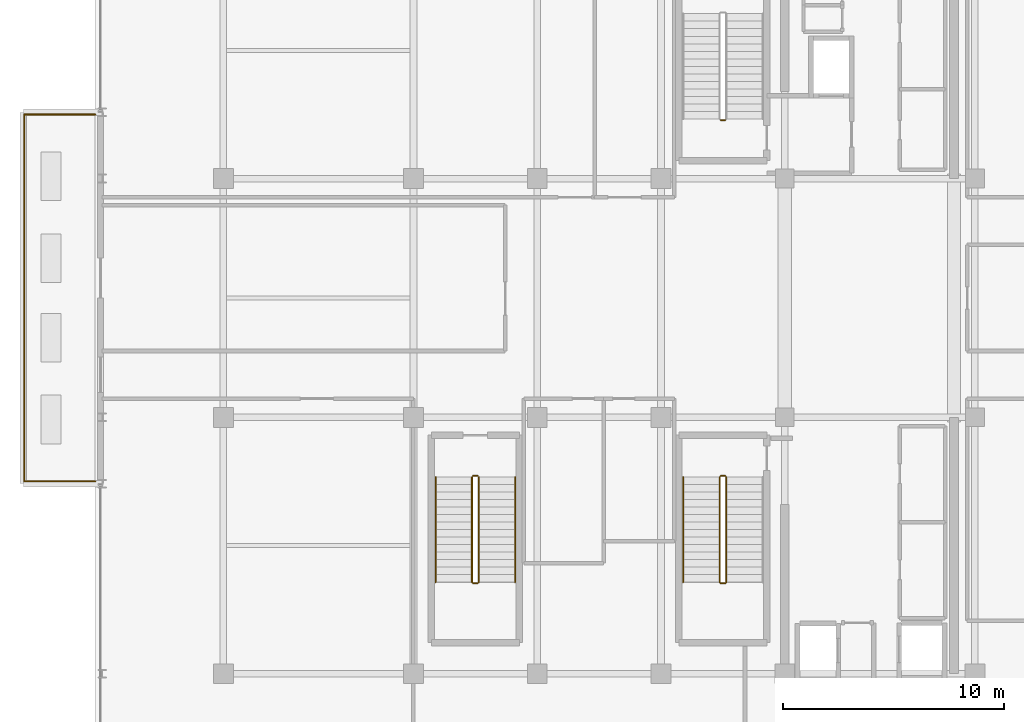
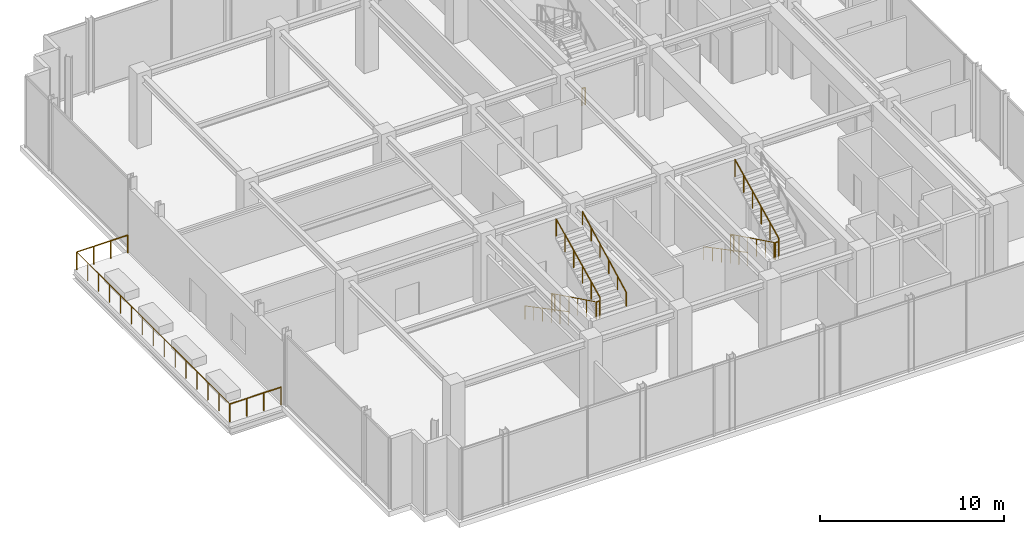
# One storey, part 26 of 28: 15 railings.
"""IFC4 building model written with IfcOpenShell, lengths in metres."""

from ifc_helpers import new_model, si_unit, direction, frame, origin, origin_2d, place, context, subcontext, project, spatial, circle, extrude, material, type_object, element, save


model = new_model("IFC4")

# Units and contexts
model_context = context("Model", 3, precision=1e-05, world=origin(), true_north=direction((0.0, 1.0)))
body_context = subcontext(model_context, "Body", "Model", "MODEL_VIEW")
ifc_project = project(units=[si_unit("LENGTHUNIT", "METRE"), si_unit("AREAUNIT", "SQUARE_METRE"), si_unit("VOLUMEUNIT", "CUBIC_METRE"), si_unit("PLANEANGLEUNIT", "RADIAN"), si_unit("MASSUNIT", "GRAM", prefix="KILO")], contexts=[model_context])

# Site, building, storey
site_placement = place(None, origin())
site = spatial("IfcSite", under=ifc_project, at=site_placement, CompositionType="ELEMENT")
building_placement = place(site_placement, origin())
building = spatial("IfcBuilding", under=site, at=building_placement, Name="Nahalor Promenade Grand Hotel", CompositionType="ELEMENT")
storey_placement = place(building_placement, frame((0.0, 0.0, 352.050048828125)))
storey = spatial("IfcBuildingStorey", under=building, at=storey_placement, Name="L90", CompositionType="ELEMENT", Elevation=352.050048828125)

# Railings
ifc_material_1 = material(Name="Anodised Bronze Aluminium EN AW-6063 T6", Category="aluminium")
railing_type_1 = type_object("IfcRailingType", Name="Bronze Balcony Guardrail 1200 mm", PredefinedType="GUARDRAIL", material=ifc_material_1)
railing_1_placement = place(storey_placement, frame((-22.800048828125, -8.300048828125, 0.0)))
element("IfcRailing", 1, at=railing_1_placement, inside=storey, type_object=railing_type_1, Name="L90 Edge Guardrail RL-L90-BELV-1", PredefinedType="GUARDRAIL", context=body_context, shape_type="SweptSolid", body=[
    extrude(circle(Radius=0.024048, at=origin_2d()), frame((0.0, 0.0, 1.17578125), z_axis=(-1.0, 0.0, 0.0), x_axis=(0.0, -1.0, 0.0)), (0.0, 0.0, 1.0), 3.199951171875),
    extrude(circle(Radius=0.020996, at=origin_2d()), origin(), (0.0, 0.0, 1.0), 1.14990234375),
    extrude(circle(Radius=0.020996, at=origin_2d()), frame((-1.066650390625, 0.0, 0.0)), (0.0, 0.0, 1.0), 1.14990234375),
    extrude(circle(Radius=0.020996, at=origin_2d()), frame((-2.13330078125, 0.0, 0.0)), (0.0, 0.0, 1.0), 1.14990234375),
    extrude(circle(Radius=0.020996, at=origin_2d()), frame((-3.199951171875, 0.0, 0.0)), (0.0, 0.0, 1.0), 1.14990234375),
])
railing_2_placement = place(storey_placement, frame((-26.0, -8.300048828125, 0.0)))
element("IfcRailing", 2, at=railing_2_placement, inside=storey, type_object=railing_type_1, Name="L90 Edge Guardrail RL-L90-BELV-2", PredefinedType="GUARDRAIL", context=body_context, shape_type="SweptSolid", body=[
    extrude(circle(Radius=0.024048, at=origin_2d()), frame((0.0, 0.0, 1.17578125), z_axis=(0.0, 1.0, 0.0), x_axis=(-1.0, 0.0, 0.0)), (0.0, 0.0, 1.0), 16.60009765625),
    extrude(circle(Radius=0.020996, at=origin_2d()), origin(), (0.0, 0.0, 1.0), 1.14990234375),
    extrude(circle(Radius=0.020996, at=origin_2d()), frame((0.0, 1.185791015625, 0.0)), (0.0, 0.0, 1.0), 1.14990234375),
    extrude(circle(Radius=0.020996, at=origin_2d()), frame((0.0, 2.371337890625, 0.0)), (0.0, 0.0, 1.0), 1.14990234375),
    extrude(circle(Radius=0.020996, at=origin_2d()), frame((0.0, 3.55712890625, 0.0)), (0.0, 0.0, 1.0), 1.14990234375),
    extrude(circle(Radius=0.020996, at=origin_2d()), frame((0.0, 4.742919921875, 0.0)), (0.0, 0.0, 1.0), 1.14990234375),
    extrude(circle(Radius=0.020996, at=origin_2d()), frame((0.0, 5.9287109375, 0.0)), (0.0, 0.0, 1.0), 1.14990234375),
    extrude(circle(Radius=0.020996, at=origin_2d()), frame((0.0, 7.1142578125, 0.0)), (0.0, 0.0, 1.0), 1.14990234375),
    extrude(circle(Radius=0.020996, at=origin_2d()), frame((0.0, 8.300048828125, 0.0)), (0.0, 0.0, 1.0), 1.14990234375),
    extrude(circle(Radius=0.020996, at=origin_2d()), frame((0.0, 9.48583984375, 0.0)), (0.0, 0.0, 1.0), 1.14990234375),
    extrude(circle(Radius=0.020996, at=origin_2d()), frame((0.0, 10.67138671875, 0.0)), (0.0, 0.0, 1.0), 1.14990234375),
    extrude(circle(Radius=0.020996, at=origin_2d()), frame((0.0, 11.857177734375, 0.0)), (0.0, 0.0, 1.0), 1.14990234375),
    extrude(circle(Radius=0.020996, at=origin_2d()), frame((0.0, 13.04296875, 0.0)), (0.0, 0.0, 1.0), 1.14990234375),
    extrude(circle(Radius=0.020996, at=origin_2d()), frame((0.0, 14.228759765625, 0.0)), (0.0, 0.0, 1.0), 1.14990234375),
    extrude(circle(Radius=0.020996, at=origin_2d()), frame((0.0, 15.414306640625, 0.0)), (0.0, 0.0, 1.0), 1.14990234375),
    extrude(circle(Radius=0.020996, at=origin_2d()), frame((0.0, 16.60009765625, 0.0)), (0.0, 0.0, 1.0), 1.14990234375),
])
railing_3_placement = place(storey_placement, frame((-26.0, 8.300048828125, 0.0)))
element("IfcRailing", 3, at=railing_3_placement, inside=storey, type_object=railing_type_1, Name="L90 Edge Guardrail RL-L90-BELV-3", PredefinedType="GUARDRAIL", context=body_context, shape_type="SweptSolid", body=[
    extrude(circle(Radius=0.024048, at=origin_2d()), frame((0.0, 0.0, 1.17578125), z_axis=(1.0, 0.0, 0.0), x_axis=(0.0, 1.0, 0.0)), (0.0, 0.0, 1.0), 3.199951171875),
    extrude(circle(Radius=0.020996, at=origin_2d()), origin(), (0.0, 0.0, 1.0), 1.14990234375),
    extrude(circle(Radius=0.020996, at=origin_2d()), frame((1.066650390625, 0.0, 0.0)), (0.0, 0.0, 1.0), 1.14990234375),
    extrude(circle(Radius=0.020996, at=origin_2d()), frame((2.13330078125, 0.0, 0.0)), (0.0, 0.0, 1.0), 1.14990234375),
    extrude(circle(Radius=0.020996, at=origin_2d()), frame((3.199951171875, 0.0, 0.0)), (0.0, 0.0, 1.0), 1.14990234375),
])
ifc_material_2 = material(Name="Steel S355JR", Category="steel")
railing_type_2 = type_object("IfcRailingType", Name="Steel Stair Guardrail 1150 mm", PredefinedType="GUARDRAIL", material=ifc_material_2)
railing_4_placement = place(storey_placement, frame((5.699951171875, 8.050048828125, 0.0)))
element("IfcRailing", 4, at=railing_4_placement, inside=storey, type_object=railing_type_2, Name="L90 ST1 stair guard 4", PredefinedType="GUARDRAIL", context=body_context, shape_type="SweptSolid", body=[
    extrude(circle(Radius=0.024048, at=origin_2d()), frame((0.0, 0.0, 1.1259765625), z_axis=(-1.0, 0.0, 0.0), x_axis=(0.0, -1.0, 0.0)), (0.0, 0.0, 1.0), 0.199951171875),
    extrude(circle(Radius=0.020996, at=origin_2d()), origin(), (0.0, 0.0, 1.0), 1.099853515625),
    extrude(circle(Radius=0.020996, at=origin_2d()), frame((-0.199951171875, 0.0, 0.0)), (0.0, 0.0, 1.0), 1.099853515625),
])
railing_5_placement = place(storey_placement, frame((5.449951171875, -8.10009765625, 0.16650390625)))
element("IfcRailing", 5, at=railing_5_placement, inside=storey, type_object=railing_type_2, Name="L90 ST2 stair guard 1", PredefinedType="GUARDRAIL", context=body_context, shape_type="SweptSolid", body=[
    extrude(circle(Radius=0.024048, at=origin_2d()), frame((0.0, 0.0, 1.1259765625), z_axis=(0.0, -0.897908944879, 0.44018124302), x_axis=(1.0, 0.0, 0.0)), (0.0, 0.0, 1.0), 5.30126953125),
    extrude(circle(Radius=0.020996, at=origin_2d()), origin(), (0.0, 0.0, 1.0), 1.099853515625),
    extrude(circle(Radius=0.020996, at=origin_2d()), frame((0.0, -0.951904296875, 0.466796875)), (0.0, 0.0, 1.0), 1.099853515625),
    extrude(circle(Radius=0.020996, at=origin_2d()), frame((0.0, -1.904052734375, 0.933349609375)), (0.0, 0.0, 1.0), 1.099853515625),
    extrude(circle(Radius=0.020996, at=origin_2d()), frame((0.0, -2.85595703125, 1.400146484375)), (0.0, 0.0, 1.0), 1.099853515625),
    extrude(circle(Radius=0.020996, at=origin_2d()), frame((0.0, -3.80810546875, 1.86669921875)), (0.0, 0.0, 1.0), 1.099853515625),
    extrude(circle(Radius=0.020996, at=origin_2d()), frame((0.0, -4.760009765625, 2.33349609375)), (0.0, 0.0, 1.0), 1.099853515625),
])
railing_6_placement = place(storey_placement, frame((5.5, -12.909912109375, 2.5)))
element("IfcRailing", 6, at=railing_6_placement, inside=storey, type_object=railing_type_2, Name="L90 ST2 stair guard 2", PredefinedType="GUARDRAIL", context=body_context, shape_type="SweptSolid", body=[
    extrude(circle(Radius=0.024048, at=origin_2d()), frame((0.0, 0.0, 1.1259765625), z_axis=(1.0, 0.0, 0.0), x_axis=(0.0, 1.0, 0.0)), (0.0, 0.0, 1.0), 0.199951171875),
    extrude(circle(Radius=0.020996, at=origin_2d()), origin(), (0.0, 0.0, 1.0), 1.099853515625),
    extrude(circle(Radius=0.020996, at=origin_2d()), frame((0.199951171875, 0.0, 0.0)), (0.0, 0.0, 1.0), 1.099853515625),
])
railing_7_placement = place(storey_placement, frame((5.75, -12.860107421875, 2.66650390625)))
element("IfcRailing", 7, at=railing_7_placement, inside=storey, type_object=railing_type_2, Name="L90 ST2 stair guard 3", PredefinedType="GUARDRAIL", context=body_context, shape_type="SweptSolid", body=[
    extrude(circle(Radius=0.024048, at=origin_2d()), frame((0.0, 0.0, 1.1259765625), z_axis=(0.0, 0.897908944879, 0.44018124302), x_axis=(-1.0, 0.0, 0.0)), (0.0, 0.0, 1.0), 5.30126953125),
    extrude(circle(Radius=0.020996, at=origin_2d()), origin(), (0.0, 0.0, 1.0), 1.099853515625),
    extrude(circle(Radius=0.020996, at=origin_2d()), frame((0.0, 0.951904296875, 0.466796875)), (0.0, 0.0, 1.0), 1.099853515625),
    extrude(circle(Radius=0.020996, at=origin_2d()), frame((0.0, 1.904052734375, 0.933349609375)), (0.0, 0.0, 1.0), 1.099853515625),
    extrude(circle(Radius=0.020996, at=origin_2d()), frame((0.0, 2.85595703125, 1.400146484375)), (0.0, 0.0, 1.0), 1.099853515625),
    extrude(circle(Radius=0.020996, at=origin_2d()), frame((0.0, 3.80810546875, 1.86669921875)), (0.0, 0.0, 1.0), 1.099853515625),
    extrude(circle(Radius=0.020996, at=origin_2d()), frame((0.0, 4.760009765625, 2.33349609375)), (0.0, 0.0, 1.0), 1.099853515625),
])
railing_8_placement = place(storey_placement, frame((5.5, -8.050048828125, 0.0)))
element("IfcRailing", 8, at=railing_8_placement, inside=storey, type_object=railing_type_2, Name="L90 ST2 stair guard 4", PredefinedType="GUARDRAIL", context=body_context, shape_type="SweptSolid", body=[
    extrude(circle(Radius=0.024048, at=origin_2d()), frame((0.0, 0.0, 1.1259765625), z_axis=(1.0, 0.0, 0.0), x_axis=(0.0, 1.0, 0.0)), (0.0, 0.0, 1.0), 0.199951171875),
    extrude(circle(Radius=0.020996, at=origin_2d()), origin(), (0.0, 0.0, 1.0), 1.099853515625),
    extrude(circle(Radius=0.020996, at=origin_2d()), frame((0.199951171875, 0.0, 0.0)), (0.0, 0.0, 1.0), 1.099853515625),
])
railing_9_placement = place(storey_placement, frame((-5.75, -8.10009765625, 0.16650390625)))
element("IfcRailing", 9, at=railing_9_placement, inside=storey, type_object=railing_type_2, Name="L90 ST3 stair guard 1", PredefinedType="GUARDRAIL", context=body_context, shape_type="SweptSolid", body=[
    extrude(circle(Radius=0.024048, at=origin_2d()), frame((0.0, 0.0, 1.1259765625), z_axis=(0.0, -0.897908944879, 0.44018124302), x_axis=(1.0, 0.0, 0.0)), (0.0, 0.0, 1.0), 5.30126953125),
    extrude(circle(Radius=0.020996, at=origin_2d()), origin(), (0.0, 0.0, 1.0), 1.099853515625),
    extrude(circle(Radius=0.020996, at=origin_2d()), frame((0.0, -0.951904296875, 0.466796875)), (0.0, 0.0, 1.0), 1.099853515625),
    extrude(circle(Radius=0.020996, at=origin_2d()), frame((0.0, -1.904052734375, 0.933349609375)), (0.0, 0.0, 1.0), 1.099853515625),
    extrude(circle(Radius=0.020996, at=origin_2d()), frame((0.0, -2.85595703125, 1.400146484375)), (0.0, 0.0, 1.0), 1.099853515625),
    extrude(circle(Radius=0.020996, at=origin_2d()), frame((0.0, -3.80810546875, 1.86669921875)), (0.0, 0.0, 1.0), 1.099853515625),
    extrude(circle(Radius=0.020996, at=origin_2d()), frame((0.0, -4.760009765625, 2.33349609375)), (0.0, 0.0, 1.0), 1.099853515625),
])
railing_10_placement = place(storey_placement, frame((-5.699951171875, -12.909912109375, 2.5)))
element("IfcRailing", 10, at=railing_10_placement, inside=storey, type_object=railing_type_2, Name="L90 ST3 stair guard 2", PredefinedType="GUARDRAIL", context=body_context, shape_type="SweptSolid", body=[
    extrude(circle(Radius=0.024048, at=origin_2d()), frame((0.0, 0.0, 1.1259765625), z_axis=(1.0, 0.0, 0.0), x_axis=(0.0, 1.0, 0.0)), (0.0, 0.0, 1.0), 0.199951171875),
    extrude(circle(Radius=0.020996, at=origin_2d()), origin(), (0.0, 0.0, 1.0), 1.099853515625),
    extrude(circle(Radius=0.020996, at=origin_2d()), frame((0.199951171875, 0.0, 0.0)), (0.0, 0.0, 1.0), 1.099853515625),
])
railing_11_placement = place(storey_placement, frame((-5.449951171875, -12.860107421875, 2.66650390625)))
element("IfcRailing", 11, at=railing_11_placement, inside=storey, type_object=railing_type_2, Name="L90 ST3 stair guard 3", PredefinedType="GUARDRAIL", context=body_context, shape_type="SweptSolid", body=[
    extrude(circle(Radius=0.024048, at=origin_2d()), frame((0.0, 0.0, 1.1259765625), z_axis=(0.0, 0.897908944879, 0.44018124302), x_axis=(-1.0, 0.0, 0.0)), (0.0, 0.0, 1.0), 5.30126953125),
    extrude(circle(Radius=0.020996, at=origin_2d()), origin(), (0.0, 0.0, 1.0), 1.099853515625),
    extrude(circle(Radius=0.020996, at=origin_2d()), frame((0.0, 0.951904296875, 0.466796875)), (0.0, 0.0, 1.0), 1.099853515625),
    extrude(circle(Radius=0.020996, at=origin_2d()), frame((0.0, 1.904052734375, 0.933349609375)), (0.0, 0.0, 1.0), 1.099853515625),
    extrude(circle(Radius=0.020996, at=origin_2d()), frame((0.0, 2.85595703125, 1.400146484375)), (0.0, 0.0, 1.0), 1.099853515625),
    extrude(circle(Radius=0.020996, at=origin_2d()), frame((0.0, 3.80810546875, 1.86669921875)), (0.0, 0.0, 1.0), 1.099853515625),
    extrude(circle(Radius=0.020996, at=origin_2d()), frame((0.0, 4.760009765625, 2.33349609375)), (0.0, 0.0, 1.0), 1.099853515625),
])
railing_12_placement = place(storey_placement, frame((-5.699951171875, -8.050048828125, 0.0)))
element("IfcRailing", 12, at=railing_12_placement, inside=storey, type_object=railing_type_2, Name="L90 ST3 stair guard 4", PredefinedType="GUARDRAIL", context=body_context, shape_type="SweptSolid", body=[
    extrude(circle(Radius=0.024048, at=origin_2d()), frame((0.0, 0.0, 1.1259765625), z_axis=(1.0, 0.0, 0.0), x_axis=(0.0, 1.0, 0.0)), (0.0, 0.0, 1.0), 0.199951171875),
    extrude(circle(Radius=0.020996, at=origin_2d()), origin(), (0.0, 0.0, 1.0), 1.099853515625),
    extrude(circle(Radius=0.020996, at=origin_2d()), frame((0.199951171875, 0.0, 0.0)), (0.0, 0.0, 1.0), 1.099853515625),
])
railing_type_3 = type_object("IfcRailingType", Name="Steel Stair Handrail 900 mm", PredefinedType="HANDRAIL", material=ifc_material_2)
for number, where, name in (
    (13, (3.800048828125, -8.10009765625, 0.16650390625), "L90 ST2 stair handrail 1"),
    (14, (-7.39990234375, -8.10009765625, 0.16650390625), "L90 ST3 stair handrail 1"),
):
    element("IfcRailing", number, at=place(storey_placement, frame(where)), inside=storey, type_object=railing_type_3, Name=name, PredefinedType="HANDRAIL", context=body_context, shape_type="SweptSolid", body=[
        extrude(circle(Radius=0.024048, at=origin_2d()), frame((0.0, 0.0, 0.8759765625), z_axis=(0.0, -0.885321736165, 0.464978949496), x_axis=(1.0, 0.0, 0.0)), (0.0, 0.0, 1.0), 5.376708984375),
        extrude(circle(Radius=0.020996, at=origin_2d()), origin(), (0.0, 0.0, 1.0), 0.849853515625),
        extrude(circle(Radius=0.020996, at=origin_2d()), frame((0.0, -0.951904296875, 0.5)), (0.0, 0.0, 1.0), 0.849853515625),
        extrude(circle(Radius=0.020996, at=origin_2d()), frame((0.0, -1.904052734375, 1.0)), (0.0, 0.0, 1.0), 0.849853515625),
        extrude(circle(Radius=0.020996, at=origin_2d()), frame((0.0, -2.85595703125, 1.5)), (0.0, 0.0, 1.0), 0.849853515625),
        extrude(circle(Radius=0.020996, at=origin_2d()), frame((0.0, -3.80810546875, 2.0)), (0.0, 0.0, 1.0), 0.849853515625),
        extrude(circle(Radius=0.020996, at=origin_2d()), frame((0.0, -4.760009765625, 2.5)), (0.0, 0.0, 1.0), 0.849853515625),
    ])
railing_13_placement = place(storey_placement, frame((-3.800048828125, -12.860107421875, 2.66650390625)))
element("IfcRailing", 15, at=railing_13_placement, inside=storey, type_object=railing_type_3, Name="L90 ST3 stair handrail 2", PredefinedType="HANDRAIL", context=body_context, shape_type="SweptSolid", body=[
    extrude(circle(Radius=0.024048, at=origin_2d()), frame((0.0, 0.0, 0.8759765625), z_axis=(0.0, 0.885321736165, 0.464978949496), x_axis=(-1.0, 0.0, 0.0)), (0.0, 0.0, 1.0), 5.376708984375),
    extrude(circle(Radius=0.020996, at=origin_2d()), origin(), (0.0, 0.0, 1.0), 0.849853515625),
    extrude(circle(Radius=0.020996, at=origin_2d()), frame((0.0, 0.951904296875, 0.5)), (0.0, 0.0, 1.0), 0.849853515625),
    extrude(circle(Radius=0.020996, at=origin_2d()), frame((0.0, 1.904052734375, 1.0)), (0.0, 0.0, 1.0), 0.849853515625),
    extrude(circle(Radius=0.020996, at=origin_2d()), frame((0.0, 2.85595703125, 1.5)), (0.0, 0.0, 1.0), 0.849853515625),
    extrude(circle(Radius=0.020996, at=origin_2d()), frame((0.0, 3.80810546875, 2.0)), (0.0, 0.0, 1.0), 0.849853515625),
    extrude(circle(Radius=0.020996, at=origin_2d()), frame((0.0, 4.760009765625, 2.5)), (0.0, 0.0, 1.0), 0.849853515625),
])

save(model, "model.ifc")
